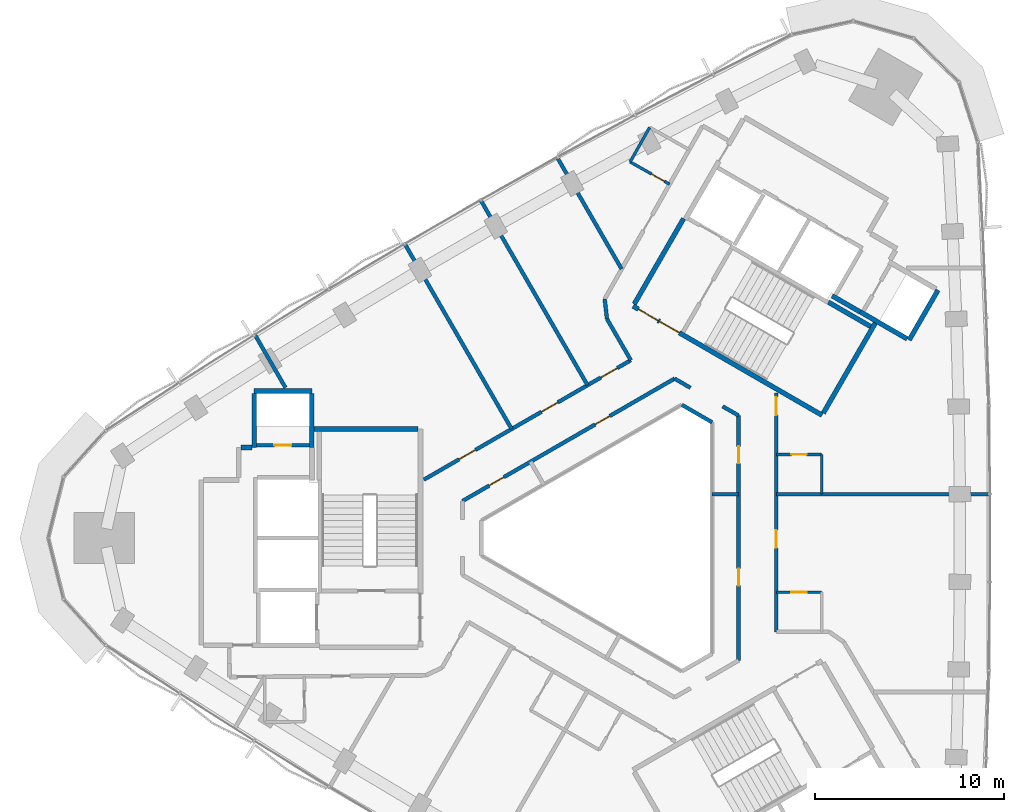
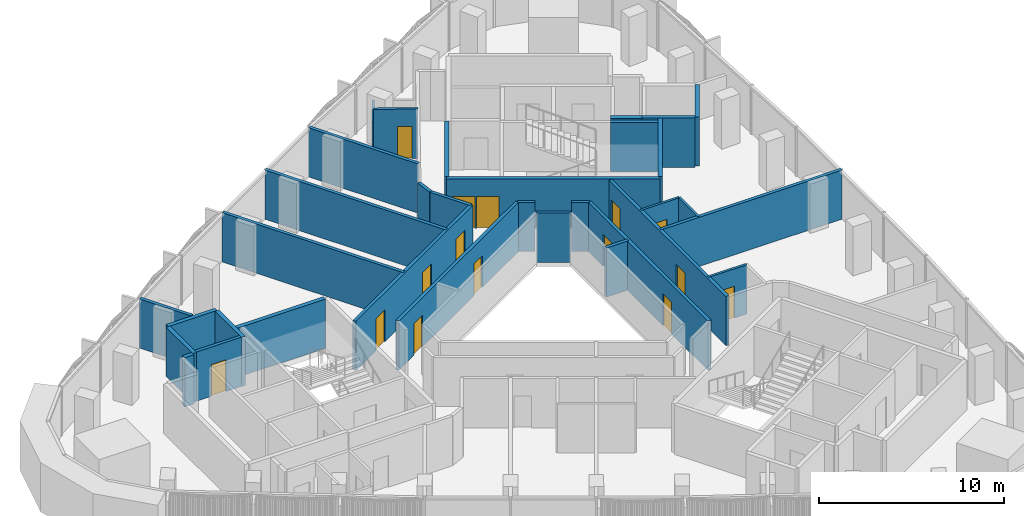
# One storey, part 9 of 13: 33 walls, 15 doors, 15 openings.
"""IFC4 building model written with IfcOpenShell, lengths in metres."""

from ifc_helpers import new_model, si_unit, direction, frame, frame_2d, origin, place, context, subcontext, project, spatial, rectangle, extrude, material, layer, layer_set, type_object, element, fill, save


model = new_model("IFC4")

# Units and contexts
model_context = context("Model", 3, precision=1e-05, world=origin(), true_north=direction((0.0, 1.0)))
body_context = subcontext(model_context, "Body", "Model", "MODEL_VIEW")
ifc_project = project(units=[si_unit("LENGTHUNIT", "METRE"), si_unit("AREAUNIT", "SQUARE_METRE"), si_unit("VOLUMEUNIT", "CUBIC_METRE"), si_unit("PLANEANGLEUNIT", "RADIAN"), si_unit("MASSUNIT", "GRAM", prefix="KILO")], contexts=[model_context])

# Site, building, storey
site_placement = place(None, origin())
site = spatial("IfcSite", under=ifc_project, at=site_placement, CompositionType="ELEMENT")
building_placement = place(site_placement, origin())
building = spatial("IfcBuilding", under=site, at=building_placement, Name="Tamra Quay Hotel Tower", CompositionType="ELEMENT")
storey_placement = place(building_placement, frame((0.0, 0.0, 182.800048828125)))
storey = spatial("IfcBuildingStorey", under=building, at=storey_placement, Name="L45", CompositionType="ELEMENT", Elevation=182.800048828125)

# Wall, opening, door
ifc_material_1 = material(Name="Concrete M70", Category="concrete")
ifc_layer_1 = layer(ifc_material_1, 0.199951171875)
ifc_layer_set_1 = layer_set([ifc_layer_1], Name="Concrete M70 core wall 200")
wall_type_1 = type_object("IfcWallType", Name="Concrete M70 core wall 200", PredefinedType="SHEAR", material=ifc_layer_set_1)
wall_1_placement = place(storey_placement, frame((-19.51123046875, 4.91015625, 0.0), z_axis=(0.0, 0.0, 1.0), x_axis=(1.0, 0.0, 0.0)))
wall_1 = element("IfcWall", 1, at=wall_1_placement, inside=storey, type_object=wall_type_1, Name="CW2", PredefinedType="SHEAR", context=body_context, shape_type="SweptSolid", body=[
    extrude(rectangle(XDim=2.7978515625, YDim=0.199951171875, at=frame_2d((1.39892578125, 0.0))), origin(), (0.0, 0.0, 1.0), 3.25),
])
opening_1_placement = place(wall_1_placement, frame((0.948974609375, 0.0, 0.0)))
opening_1 = element("IfcOpeningElement", 2, at=opening_1_placement, cuts=wall_1, Name="Opening D1", PredefinedType="OPENING", context=body_context, shape_type="SweptSolid", body=[
    extrude(rectangle(XDim=0.89990234375, YDim=2.10009765625, at=frame_2d((0.449951171875, 1.050048828125))), frame((0.0, 0.10986328125, 0.0), z_axis=(0.0, -1.0, 0.0), x_axis=(1.0, 0.0, 0.0)), (0.0, 0.0, 1.0), 0.219970703125),
])
ifc_material_2 = material(Name="Core door D1 900x2100 LH")
door_type_1 = type_object("IfcDoorType", Name="Core door D1 900x2100 LH", OperationType="NOTDEFINED", PredefinedType="DOOR", material=ifc_material_2)
door_1_placement = place(opening_1_placement, origin())
door_1 = element("IfcDoor", 3, at=door_1_placement, inside=storey, type_object=door_type_1, Name="D1", OperationType="SINGLE_SWING_LEFT", OverallHeight=2.10009765625, OverallWidth=0.89990234375, PredefinedType="DOOR", context=body_context, shape_type="SweptSolid", body=[
    extrude(rectangle(XDim=0.89990234375, YDim=2.10009765625, at=frame_2d((0.449951171875, 1.050048828125))), frame((0.0, 0.02490234375, 0.0), z_axis=(0.0, -1.0, 0.0), x_axis=(1.0, 0.0, 0.0)), (0.0, 0.0, 1.0), 0.050048828125),
])
fill(opening_1, door_1)

# Walls
ifc_layer_2 = layer(ifc_material_1, 0.25)
ifc_layer_set_2 = layer_set([ifc_layer_2], Name="Concrete M70 core wall 250")
wall_type_2 = type_object("IfcWallType", Name="Concrete M70 core wall 250", PredefinedType="SHEAR", material=ifc_layer_set_2)
wall_2_placement = place(storey_placement, frame((-16.47216796875, 5.77490234375, 0.0), z_axis=(0.0, 0.0, 1.0), x_axis=(1.0, 0.0, 0.0)))
element("IfcWall", 4, at=wall_2_placement, inside=storey, type_object=wall_type_2, Name="CW1", PredefinedType="SHEAR", context=body_context, shape_type="SweptSolid", body=[
    extrude(rectangle(XDim=5.509521484375, YDim=0.25, at=frame_2d((2.7548828125, 0.0))), origin(), (0.0, 0.0, 1.0), 3.25),
])
wall_3_placement = place(storey_placement, frame((-19.63720703125, 7.77490234375, 0.0), z_axis=(0.0, 0.0, 1.0), x_axis=(1.0, 0.0, 0.0)))
element("IfcWall", 5, at=wall_3_placement, inside=storey, type_object=wall_type_2, Name="CW1", PredefinedType="SHEAR", context=body_context, shape_type="SweptSolid", body=[
    extrude(rectangle(XDim=3.0498046875, YDim=0.25, at=frame_2d((1.52490234375, 0.0))), origin(), (0.0, 0.0, 1.0), 3.25),
])
for number, where, z_axis, x_axis, name in (
    (6, (-16.58740234375, 7.649658203125, 0.0), (0.0, 0.0, 1.0), (0.0, -1.0, 0.0), "CW1"),
    (7, (-19.63720703125, 4.784912109375, 0.0), (0.0, 0.0, 1.0), (0.0, 1.0, 0.0), "CW1"),
):
    element("IfcWall", number, at=place(storey_placement, frame(where, z_axis=z_axis, x_axis=x_axis)), inside=storey, type_object=wall_type_2, Name=name, PredefinedType="SHEAR", context=body_context, shape_type="SweptSolid", body=[
        extrude(rectangle(XDim=2.86474609375, YDim=0.25, at=frame_2d((1.432373046875, 0.0))), origin(), (0.0, 0.0, 1.0), 3.25),
    ])
wall_4_placement = place(storey_placement, frame((-20.32177734375, 4.784912109375, 0.0), z_axis=(0.0, 0.0, 1.0), x_axis=(1.0, 0.0, 0.0)))
element("IfcWall", 8, at=wall_4_placement, inside=storey, type_object=wall_type_2, Name="CW1", PredefinedType="SHEAR", context=body_context, shape_type="SweptSolid", body=[
    extrude(rectangle(XDim=0.55908203125, YDim=0.25, at=frame_2d((0.279541015625, 0.0))), origin(), (0.0, 0.0, 1.0), 3.25),
])

# Wall, openings, doors
wall_5_placement = place(storey_placement, frame((10.419921875, 6.497802734375, 0.0), z_axis=(0.0, 0.0, 1.0), x_axis=(-0.866021906294, 0.500006057782, 0.0)))
wall_5 = element("IfcWall", 9, at=wall_5_placement, inside=storey, type_object=wall_type_2, Name="CW1", PredefinedType="SHEAR", context=body_context, shape_type="SweptSolid", body=[
    extrude(rectangle(XDim=11.550048828125, YDim=0.25, at=frame_2d((5.77490234375, 0.0))), origin(), (0.0, 0.0, 1.0), 3.25),
])
opening_2_placement = place(wall_5_placement, frame((10.02490234375, 0.0, 0.0)))
opening_2 = element("IfcOpeningElement", 10, at=opening_2_placement, cuts=wall_5, Name="Opening FD1", PredefinedType="OPENING", context=body_context, shape_type="SweptSolid", body=[
    extrude(rectangle(XDim=1.199951171875, YDim=2.10009765625, at=frame_2d((0.60009765625, 1.050048828125))), frame((0.0, 0.135009765625, 0.0), z_axis=(0.0, -1.0, 0.0), x_axis=(1.0, 0.0, 0.0)), (0.0, 0.0, 1.0), 0.27001953125),
])
opening_3_placement = place(wall_5_placement, frame((8.724853515625, 0.0, 0.0)))
opening_3 = element("IfcOpeningElement", 11, at=opening_3_placement, cuts=wall_5, Name="Opening FD1", PredefinedType="OPENING", context=body_context, shape_type="SweptSolid", body=[
    extrude(rectangle(XDim=1.199951171875, YDim=2.10009765625, at=frame_2d((0.60009765625, 1.050048828125))), frame((0.0, 0.135009765625, 0.0), z_axis=(0.0, -1.0, 0.0), x_axis=(1.0, 0.0, 0.0)), (0.0, 0.0, 1.0), 0.27001953125),
])
ifc_material_3 = material(Name="Core door FD1 1200x2100 LH")
door_type_2 = type_object("IfcDoorType", Name="Core door FD1 1200x2100 LH", OperationType="NOTDEFINED", PredefinedType="DOOR", material=ifc_material_3)
door_2_placement = place(opening_2_placement, origin())
door_2 = element("IfcDoor", 12, at=door_2_placement, inside=storey, type_object=door_type_2, Name="FD1", OperationType="SINGLE_SWING_LEFT", OverallHeight=2.10009765625, OverallWidth=1.199951171875, PredefinedType="DOOR", context=body_context, shape_type="SweptSolid", body=[
    extrude(rectangle(XDim=1.199951171875, YDim=2.10009765625, at=frame_2d((0.60009765625, 1.050048828125))), frame((0.0, 0.02490234375, 0.0), z_axis=(0.0, -1.0, 0.0), x_axis=(1.0, 0.0, 0.0)), (0.0, 0.0, 1.0), 0.050048828125),
])
fill(opening_2, door_2)
ifc_material_4 = material(Name="Core door FD1 1200x2100 RH")
door_type_3 = type_object("IfcDoorType", Name="Core door FD1 1200x2100 RH", OperationType="NOTDEFINED", PredefinedType="DOOR", material=ifc_material_4)
door_3_placement = place(opening_3_placement, origin())
door_3 = element("IfcDoor", 13, at=door_3_placement, inside=storey, type_object=door_type_3, Name="FD1", OperationType="SINGLE_SWING_RIGHT", OverallHeight=2.10009765625, OverallWidth=1.199951171875, PredefinedType="DOOR", context=body_context, shape_type="SweptSolid", body=[
    extrude(rectangle(XDim=1.199951171875, YDim=2.10009765625, at=frame_2d((0.60009765625, 1.050048828125))), frame((0.0, 0.02490234375, 0.0), z_axis=(0.0, -1.0, 0.0), x_axis=(1.0, 0.0, 0.0)), (0.0, 0.0, 1.0), 0.050048828125),
])
fill(opening_3, door_3)

# Walls
wall_6_placement = place(storey_placement, frame((0.47998046875, 12.38134765625, 0.0), z_axis=(0.0, 0.0, 1.0), x_axis=(0.49999885962, 0.866026062182, 0.0)))
element("IfcWall", 14, at=wall_6_placement, inside=storey, type_object=wall_type_2, Name="CW1", PredefinedType="SHEAR", context=body_context, shape_type="SweptSolid", body=[
    extrude(rectangle(XDim=5.224609375, YDim=0.25, at=frame_2d((2.6123046875, 0.0))), origin(), (0.0, 0.0, 1.0), 3.25),
])
wall_7_placement = place(storey_placement, frame((13.237548828125, 11.3779296875, 0.0), z_axis=(0.0, 0.0, 1.0), x_axis=(-0.500008851346, -0.866020293397, 0.0)))
element("IfcWall", 15, at=wall_7_placement, inside=storey, type_object=wall_type_2, Name="CW1", PredefinedType="SHEAR", context=body_context, shape_type="SweptSolid", body=[
    extrude(rectangle(XDim=5.509765625, YDim=0.25, at=frame_2d((2.7548828125, 0.0))), origin(), (0.0, 0.0, 1.0), 3.25),
])
wall_8_placement = place(storey_placement, frame((16.552001953125, 13.118896484375, 0.0), z_axis=(0.0, 0.0, 1.0), x_axis=(-0.499978833458, -0.866037623948, 0.0)))
element("IfcWall", 16, at=wall_8_placement, inside=storey, type_object=wall_type_2, Name="CW1", PredefinedType="SHEAR", context=body_context, shape_type="SweptSolid", body=[
    extrude(rectangle(XDim=3.050048828125, YDim=0.25, at=frame_2d((1.52490234375, 0.0))), origin(), (0.0, 0.0, 1.0), 3.25),
])
wall_9_placement = place(storey_placement, frame((14.91845703125, 10.540283203125, 0.0), z_axis=(0.0, 0.0, 1.0), x_axis=(-0.866063538972, 0.499933942099, 0.0)))
element("IfcWall", 17, at=wall_9_placement, inside=storey, type_object=wall_type_2, Name="CW1", PredefinedType="SHEAR", context=body_context, shape_type="SweptSolid", body=[
    extrude(rectangle(XDim=2.86474609375, YDim=0.25, at=frame_2d((1.432373046875, 0.0))), origin(), (0.0, 0.0, 1.0), 3.25),
])
wall_10_placement = place(storey_placement, frame((10.756591796875, 12.481201171875, 0.0), z_axis=(0.0, 0.0, 1.0), x_axis=(0.866022940537, -0.500004266446, 0.0)))
element("IfcWall", 18, at=wall_10_placement, inside=storey, type_object=wall_type_2, Name="CW1", PredefinedType="SHEAR", context=body_context, shape_type="SweptSolid", body=[
    extrude(rectangle(XDim=2.57470703125, YDim=0.25, at=frame_2d((1.287353515625, 0.0))), origin(), (0.0, 0.0, 1.0), 3.25),
])
wall_11_placement = place(storey_placement, frame((12.4326171875, 11.9638671875, 0.0), z_axis=(0.0, 0.0, 1.0), x_axis=(-0.866038183914, 0.499977863513, 0.0)))
element("IfcWall", 19, at=wall_11_placement, inside=storey, type_object=wall_type_2, Name="CW1", PredefinedType="SHEAR", context=body_context, shape_type="SweptSolid", body=[
    extrude(rectangle(XDim=1.7099609375, YDim=0.25, at=frame_2d((0.85498046875, 0.0))), origin(), (0.0, 0.0, 1.0), 3.25),
])

# Wall, openings, doors
ifc_material_5 = material(Name="Partition corridor wall")
ifc_layer_3 = layer(ifc_material_5, 0.199951171875)
ifc_layer_set_3 = layer_set([ifc_layer_3], Name="Partition corridor wall")
wall_type_3 = type_object("IfcWallType", Name="Partition corridor wall", PredefinedType="PARTITIONING", material=ifc_layer_set_3)
wall_12_placement = place(storey_placement, frame((-10.65234375, 3.08740234375, 0.0), z_axis=(0.0, 0.0, 1.0), x_axis=(0.866016136997, 0.500016050204, 0.0)))
wall_12 = element("IfcWall", 20, at=wall_12_placement, inside=storey, type_object=wall_type_3, Name="W-C", PredefinedType="PARTITIONING", context=body_context, shape_type="SweptSolid", body=[
    extrude(rectangle(XDim=12.64453125, YDim=0.199951171875, at=frame_2d((6.322265625, 0.0))), origin(), (0.0, 0.0, 1.0), 3.25),
])
opening_4_placement = place(wall_12_placement, frame((10.816650390625, 0.0, 0.0)))
opening_4 = element("IfcOpeningElement", 21, at=opening_4_placement, cuts=wall_12, Name="Opening L45-D003", PredefinedType="OPENING", context=body_context, shape_type="SweptSolid", body=[
    extrude(rectangle(XDim=1.0, YDim=2.10009765625, at=frame_2d((0.5, 1.050048828125))), frame((0.0, 0.10986328125, 0.0), z_axis=(0.0, -1.0, 0.0), x_axis=(1.0, 0.0, 0.0)), (0.0, 0.0, 1.0), 0.219970703125),
])
opening_5_placement = place(wall_12_placement, frame((7.181640625, 0.0, 0.0)))
opening_5 = element("IfcOpeningElement", 22, at=opening_5_placement, cuts=wall_12, Name="Opening L45-D004", PredefinedType="OPENING", context=body_context, shape_type="SweptSolid", body=[
    extrude(rectangle(XDim=1.0, YDim=2.10009765625, at=frame_2d((0.5, 1.050048828125))), frame((0.0, 0.10986328125, 0.0), z_axis=(0.0, -1.0, 0.0), x_axis=(1.0, 0.0, 0.0)), (0.0, 0.0, 1.0), 0.219970703125),
])
opening_6_placement = place(wall_12_placement, frame((2.15283203125, 0.0, 0.0)))
opening_6 = element("IfcOpeningElement", 23, at=opening_6_placement, cuts=wall_12, Name="Opening L45-D005", PredefinedType="OPENING", context=body_context, shape_type="SweptSolid", body=[
    extrude(rectangle(XDim=1.0, YDim=2.10009765625, at=frame_2d((0.5, 1.050048828125))), frame((0.0, 0.10986328125, 0.0), z_axis=(0.0, -1.0, 0.0), x_axis=(1.0, 0.0, 0.0)), (0.0, 0.0, 1.0), 0.219970703125),
])
ifc_material_6 = material(Name="Door guest room 1000x2100")
door_type_4 = type_object("IfcDoorType", Name="Door guest room 1000x2100", OperationType="NOTDEFINED", PredefinedType="DOOR", material=ifc_material_6)
door_4_placement = place(opening_4_placement, origin())
door_4 = element("IfcDoor", 24, at=door_4_placement, inside=storey, type_object=door_type_4, Name="L45-D003", OperationType="SINGLE_SWING_LEFT", OverallHeight=2.10009765625, OverallWidth=1.0, PredefinedType="DOOR", context=body_context, shape_type="SweptSolid", body=[
    extrude(rectangle(XDim=1.0, YDim=2.10009765625, at=frame_2d((0.5, 1.050048828125))), frame((0.0, 0.02490234375, 0.0), z_axis=(0.0, -1.0, 0.0), x_axis=(1.0, 0.0, 0.0)), (0.0, 0.0, 1.0), 0.050048828125),
])
fill(opening_4, door_4)
door_5_placement = place(opening_5_placement, origin())
door_5 = element("IfcDoor", 25, at=door_5_placement, inside=storey, type_object=door_type_4, Name="L45-D004", OperationType="SINGLE_SWING_LEFT", OverallHeight=2.10009765625, OverallWidth=1.0, PredefinedType="DOOR", context=body_context, shape_type="SweptSolid", body=[
    extrude(rectangle(XDim=1.0, YDim=2.10009765625, at=frame_2d((0.5, 1.050048828125))), frame((0.0, 0.02490234375, 0.0), z_axis=(0.0, -1.0, 0.0), x_axis=(1.0, 0.0, 0.0)), (0.0, 0.0, 1.0), 0.050048828125),
])
fill(opening_5, door_5)
door_6_placement = place(opening_6_placement, origin())
door_6 = element("IfcDoor", 26, at=door_6_placement, inside=storey, type_object=door_type_4, Name="L45-D005", OperationType="SINGLE_SWING_LEFT", OverallHeight=2.10009765625, OverallWidth=1.0, PredefinedType="DOOR", context=body_context, shape_type="SweptSolid", body=[
    extrude(rectangle(XDim=1.0, YDim=2.10009765625, at=frame_2d((0.5, 1.050048828125))), frame((0.0, 0.02490234375, 0.0), z_axis=(0.0, -1.0, 0.0), x_axis=(1.0, 0.0, 0.0)), (0.0, 0.0, 1.0), 0.050048828125),
])
fill(opening_6, door_6)

wall_13_placement = place(storey_placement, frame((-8.612060546875, 1.9560546875, 0.0), z_axis=(0.0, 0.0, 1.0), x_axis=(0.866034386606, 0.499984440973, 0.0)))
wall_13 = element("IfcWall", 27, at=wall_13_placement, inside=storey, type_object=wall_type_3, Name="W-C", PredefinedType="PARTITIONING", context=body_context, shape_type="SweptSolid", body=[
    extrude(rectangle(XDim=12.96044921875, YDim=0.199951171875, at=frame_2d((6.480224609375, 0.0))), origin(), (0.0, 0.0, 1.0), 3.25),
])
opening_7_placement = place(wall_13_placement, frame((8.10498046875, 0.0, 0.0)))
opening_7 = element("IfcOpeningElement", 28, at=opening_7_placement, cuts=wall_13, Name="Opening L45-D021", PredefinedType="OPENING", context=body_context, shape_type="SweptSolid", body=[
    extrude(rectangle(XDim=0.89990234375, YDim=2.10009765625, at=frame_2d((0.449951171875, 1.050048828125))), frame((0.0, 0.10986328125, 0.0), z_axis=(0.0, -1.0, 0.0), x_axis=(1.0, 0.0, 0.0)), (0.0, 0.0, 1.0), 0.219970703125),
])
opening_8_placement = place(wall_13_placement, frame((1.63671875, 0.0, 0.0)))
opening_8 = element("IfcOpeningElement", 29, at=opening_8_placement, cuts=wall_13, Name="Opening L45-D022", PredefinedType="OPENING", context=body_context, shape_type="SweptSolid", body=[
    extrude(rectangle(XDim=0.89990234375, YDim=2.10009765625, at=frame_2d((0.449951171875, 1.050048828125))), frame((0.0, 0.10986328125, 0.0), z_axis=(0.0, -1.0, 0.0), x_axis=(1.0, 0.0, 0.0)), (0.0, 0.0, 1.0), 0.219970703125),
])
ifc_material_7 = material(Name="Door service room 900x2100")
door_type_5 = type_object("IfcDoorType", Name="Door service room 900x2100", OperationType="NOTDEFINED", PredefinedType="DOOR", material=ifc_material_7)
door_7_placement = place(opening_7_placement, frame((0.89990234375, 0.0, 0.0), z_axis=(0.0, 0.0, 1.0), x_axis=(-1.0, 0.0, 0.0)))
door_7 = element("IfcDoor", 30, at=door_7_placement, inside=storey, type_object=door_type_5, Name="L45-D021", OperationType="SINGLE_SWING_LEFT", OverallHeight=2.10009765625, OverallWidth=0.89990234375, PredefinedType="DOOR", context=body_context, shape_type="SweptSolid", body=[
    extrude(rectangle(XDim=0.89990234375, YDim=2.10009765625, at=frame_2d((0.449951171875, 1.050048828125))), frame((0.0, 0.02490234375, 0.0), z_axis=(0.0, -1.0, 0.0), x_axis=(1.0, 0.0, 0.0)), (0.0, 0.0, 1.0), 0.050048828125),
])
fill(opening_7, door_7)
door_8_placement = place(opening_8_placement, frame((0.89990234375, 0.0, 0.0), z_axis=(0.0, 0.0, 1.0), x_axis=(-1.0, 0.0, 0.0)))
door_8 = element("IfcDoor", 31, at=door_8_placement, inside=storey, type_object=door_type_5, Name="L45-D022", OperationType="SINGLE_SWING_LEFT", OverallHeight=2.10009765625, OverallWidth=0.89990234375, PredefinedType="DOOR", context=body_context, shape_type="SweptSolid", body=[
    extrude(rectangle(XDim=0.89990234375, YDim=2.10009765625, at=frame_2d((0.449951171875, 1.050048828125))), frame((0.0, 0.02490234375, 0.0), z_axis=(0.0, -1.0, 0.0), x_axis=(1.0, 0.0, 0.0)), (0.0, 0.0, 1.0), 0.050048828125),
])
fill(opening_8, door_8)

# Walls
wall_14_placement = place(storey_placement, frame((-1.0849609375, 12.64990234375, 0.0), z_axis=(0.0, 0.0, 1.0), x_axis=(0.113812454263, -0.993502252264, 0.0)))
element("IfcWall", 32, at=wall_14_placement, inside=storey, type_object=wall_type_3, Name="W-C", PredefinedType="PARTITIONING", context=body_context, shape_type="SweptSolid", body=[
    extrude(rectangle(XDim=1.061767578125, YDim=0.199951171875, at=frame_2d((0.53076171875, 0.0))), origin(), (0.0, 0.0, 1.0), 3.25),
])
wall_15_placement = place(storey_placement, frame((-0.964111328125, 11.594970703125, 0.0), z_axis=(0.0, 0.0, 1.0), x_axis=(0.500197000638, -0.865911635534, 0.0)))
element("IfcWall", 33, at=wall_15_placement, inside=storey, type_object=wall_type_3, Name="W-C", PredefinedType="PARTITIONING", context=body_context, shape_type="SweptSolid", body=[
    extrude(rectangle(XDim=2.5234375, YDim=0.199951171875, at=frame_2d((1.26171875, 0.0))), origin(), (0.0, 0.0, 1.0), 3.25),
])
wall_16_placement = place(storey_placement, frame((2.612060546875, 8.43603515625, 0.0), z_axis=(0.0, 0.0, 1.0), x_axis=(0.866055964107, -0.499947064232, 0.0)))
element("IfcWall", 34, at=wall_16_placement, inside=storey, type_object=wall_type_3, Name="W-C", PredefinedType="PARTITIONING", context=body_context, shape_type="SweptSolid", body=[
    extrude(rectangle(XDim=0.97216796875, YDim=0.199951171875, at=frame_2d((0.486083984375, 0.0))), origin(), (0.0, 0.0, 1.0), 3.25),
])
wall_17_placement = place(storey_placement, frame((5.156005859375, 6.968017578125, 0.0), z_axis=(0.0, 0.0, 1.0), x_axis=(0.866123013327, -0.49983089719, 0.0)))
element("IfcWall", 35, at=wall_17_placement, inside=storey, type_object=wall_type_3, Name="W-C", PredefinedType="PARTITIONING", context=body_context, shape_type="SweptSolid", body=[
    extrude(rectangle(XDim=0.974365234375, YDim=0.199951171875, at=frame_2d((0.4873046875, 0.0))), origin(), (0.0, 0.0, 1.0), 3.25),
])

# Wall, openings, doors
wall_18_placement = place(storey_placement, frame((6.0, -6.48095703125, 0.0), z_axis=(0.0, 0.0, 1.0), x_axis=(0.0, 1.0, 0.0)))
wall_18 = element("IfcWall", 36, at=wall_18_placement, inside=storey, type_object=wall_type_3, Name="W-C", PredefinedType="PARTITIONING", context=body_context, shape_type="SweptSolid", body=[
    extrude(rectangle(XDim=12.9619140625, YDim=0.199951171875, at=frame_2d((6.48095703125, 0.0))), origin(), (0.0, 0.0, 1.0), 3.25),
])
opening_9_placement = place(wall_18_placement, frame((3.9560546875, 0.0, 0.0)))
opening_9 = element("IfcOpeningElement", 37, at=opening_9_placement, cuts=wall_18, Name="Opening L45-D019", PredefinedType="OPENING", context=body_context, shape_type="SweptSolid", body=[
    extrude(rectangle(XDim=0.89990234375, YDim=2.10009765625, at=frame_2d((0.449951171875, 1.050048828125))), frame((0.0, 0.10986328125, 0.0), z_axis=(0.0, -1.0, 0.0), x_axis=(1.0, 0.0, 0.0)), (0.0, 0.0, 1.0), 0.219970703125),
])
opening_10_placement = place(wall_18_placement, frame((10.425048828125, 0.0, 0.0)))
opening_10 = element("IfcOpeningElement", 38, at=opening_10_placement, cuts=wall_18, Name="Opening L45-D020", PredefinedType="OPENING", context=body_context, shape_type="SweptSolid", body=[
    extrude(rectangle(XDim=0.89990234375, YDim=2.10009765625, at=frame_2d((0.449951171875, 1.050048828125))), frame((0.0, 0.10986328125, 0.0), z_axis=(0.0, -1.0, 0.0), x_axis=(1.0, 0.0, 0.0)), (0.0, 0.0, 1.0), 0.219970703125),
])
door_9_placement = place(opening_9_placement, origin())
door_9 = element("IfcDoor", 39, at=door_9_placement, inside=storey, type_object=door_type_5, Name="L45-D019", OperationType="SINGLE_SWING_LEFT", OverallHeight=2.10009765625, OverallWidth=0.89990234375, PredefinedType="DOOR", context=body_context, shape_type="SweptSolid", body=[
    extrude(rectangle(XDim=0.89990234375, YDim=2.10009765625, at=frame_2d((0.449951171875, 1.050048828125))), frame((0.0, 0.02490234375, 0.0), z_axis=(0.0, -1.0, 0.0), x_axis=(1.0, 0.0, 0.0)), (0.0, 0.0, 1.0), 0.050048828125),
])
fill(opening_9, door_9)
door_10_placement = place(opening_10_placement, origin())
door_10 = element("IfcDoor", 40, at=door_10_placement, inside=storey, type_object=door_type_5, Name="L45-D020", OperationType="SINGLE_SWING_LEFT", OverallHeight=2.10009765625, OverallWidth=0.89990234375, PredefinedType="DOOR", context=body_context, shape_type="SweptSolid", body=[
    extrude(rectangle(XDim=0.89990234375, YDim=2.10009765625, at=frame_2d((0.449951171875, 1.050048828125))), frame((0.0, 0.02490234375, 0.0), z_axis=(0.0, -1.0, 0.0), x_axis=(1.0, 0.0, 0.0)), (0.0, 0.0, 1.0), 0.050048828125),
])
fill(opening_10, door_10)

wall_19_placement = place(storey_placement, frame((8.0, -4.966064453125, 0.0), z_axis=(0.0, 0.0, 1.0), x_axis=(0.0, 1.0, 0.0)))
wall_19 = element("IfcWall", 41, at=wall_19_placement, inside=storey, type_object=wall_type_3, Name="W-C", PredefinedType="PARTITIONING", context=body_context, shape_type="SweptSolid", body=[
    extrude(rectangle(XDim=12.6474609375, YDim=0.199951171875, at=frame_2d((6.32373046875, 0.0))), origin(), (0.0, 0.0, 1.0), 3.25),
])
opening_11_placement = place(wall_19_placement, frame((4.43798828125, 0.0, 0.0)))
opening_11 = element("IfcOpeningElement", 42, at=opening_11_placement, cuts=wall_19, Name="Opening L45-D015", PredefinedType="OPENING", context=body_context, shape_type="SweptSolid", body=[
    extrude(rectangle(XDim=0.949951171875, YDim=2.10009765625, at=frame_2d((0.47509765625, 1.050048828125))), frame((0.0, 0.10986328125, 0.0), z_axis=(0.0, -1.0, 0.0), x_axis=(1.0, 0.0, 0.0)), (0.0, 0.0, 1.0), 0.219970703125),
])
opening_12_placement = place(wall_19_placement, frame((11.46630859375, 0.0, 0.0)))
opening_12 = element("IfcOpeningElement", 43, at=opening_12_placement, cuts=wall_19, Name="Opening L45-D017", PredefinedType="OPENING", context=body_context, shape_type="SweptSolid", body=[
    extrude(rectangle(XDim=0.949951171875, YDim=2.10009765625, at=frame_2d((0.47509765625, 1.050048828125))), frame((0.0, 0.10986328125, 0.0), z_axis=(0.0, -1.0, 0.0), x_axis=(1.0, 0.0, 0.0)), (0.0, 0.0, 1.0), 0.219970703125),
])
ifc_material_8 = material(Name="Door guest room 950x2100")
door_type_6 = type_object("IfcDoorType", Name="Door guest room 950x2100", OperationType="NOTDEFINED", PredefinedType="DOOR", material=ifc_material_8)
door_11_placement = place(opening_11_placement, frame((0.949951171875, 0.0, 0.0), z_axis=(0.0, 0.0, 1.0), x_axis=(-1.0, 0.0, 0.0)))
door_11 = element("IfcDoor", 44, at=door_11_placement, inside=storey, type_object=door_type_6, Name="L45-D015", OperationType="SINGLE_SWING_LEFT", OverallHeight=2.10009765625, OverallWidth=0.949951171875, PredefinedType="DOOR", context=body_context, shape_type="SweptSolid", body=[
    extrude(rectangle(XDim=0.949951171875, YDim=2.10009765625, at=frame_2d((0.47509765625, 1.050048828125))), frame((0.0, 0.02490234375, 0.0), z_axis=(0.0, -1.0, 0.0), x_axis=(1.0, 0.0, 0.0)), (0.0, 0.0, 1.0), 0.050048828125),
])
fill(opening_11, door_11)
door_12_placement = place(opening_12_placement, frame((0.949951171875, 0.0, 0.0), z_axis=(0.0, 0.0, 1.0), x_axis=(-1.0, 0.0, 0.0)))
door_12 = element("IfcDoor", 45, at=door_12_placement, inside=storey, type_object=door_type_6, Name="L45-D017", OperationType="SINGLE_SWING_LEFT", OverallHeight=2.10009765625, OverallWidth=0.949951171875, PredefinedType="DOOR", context=body_context, shape_type="SweptSolid", body=[
    extrude(rectangle(XDim=0.949951171875, YDim=2.10009765625, at=frame_2d((0.47509765625, 1.050048828125))), frame((0.0, 0.02490234375, 0.0), z_axis=(0.0, -1.0, 0.0), x_axis=(1.0, 0.0, 0.0)), (0.0, 0.0, 1.0), 0.050048828125),
])
fill(opening_12, door_12)

# Wall
ifc_material_9 = material(Name="Partition en-suite wall")
ifc_layer_4 = layer(ifc_material_9, 0.14990234375)
ifc_layer_set_4 = layer_set([ifc_layer_4], Name="Partition en-suite wall")
wall_type_4 = type_object("IfcWallType", Name="Partition en-suite wall", PredefinedType="PARTITIONING", material=ifc_layer_set_4)
wall_20_placement = place(storey_placement, frame((0.262939453125, 19.906005859375, 0.0), z_axis=(0.0, 0.0, 1.0), x_axis=(0.492479898936, 0.870323818555, 0.0)))
element("IfcWall", 46, at=wall_20_placement, inside=storey, type_object=wall_type_4, Name="W-E", PredefinedType="PARTITIONING", context=body_context, shape_type="SweptSolid", body=[
    extrude(rectangle(XDim=2.093505859375, YDim=0.14990234375, at=frame_2d((1.046875, 0.0))), origin(), (0.0, 0.0, 1.0), 2.349853515625),
])

# Wall, opening, door
wall_21_placement = place(storey_placement, frame((0.264892578125, 19.902099609375, 0.0), z_axis=(0.0, 0.0, 1.0), x_axis=(0.870355792391, -0.492423389627, 0.0)))
wall_21 = element("IfcWall", 47, at=wall_21_placement, inside=storey, type_object=wall_type_4, Name="W-E", PredefinedType="PARTITIONING", context=body_context, shape_type="SweptSolid", body=[
    extrude(rectangle(XDim=2.394775390625, YDim=0.14990234375, at=frame_2d((1.197265625, 0.0))), origin(), (0.0, 0.0, 1.0), 3.25),
])
opening_13_placement = place(wall_21_placement, frame((1.2841796875, 0.0, 0.0)))
opening_13 = element("IfcOpeningElement", 48, at=opening_13_placement, cuts=wall_21, Name="Opening L45-D002", PredefinedType="OPENING", context=body_context, shape_type="SweptSolid", body=[
    extrude(rectangle(XDim=0.800048828125, YDim=2.10009765625, at=frame_2d((0.39990234375, 1.050048828125))), frame((0.0, 0.0849609375, 0.0), z_axis=(0.0, -1.0, 0.0), x_axis=(1.0, 0.0, 0.0)), (0.0, 0.0, 1.0), 0.169921875),
])
ifc_material_10 = material(Name="Door en-suite 800x2100")
door_type_7 = type_object("IfcDoorType", Name="Door en-suite 800x2100", OperationType="NOTDEFINED", PredefinedType="DOOR", material=ifc_material_10)
door_13_placement = place(opening_13_placement, origin())
door_13 = element("IfcDoor", 49, at=door_13_placement, inside=storey, type_object=door_type_7, Name="L45-D002", OperationType="SINGLE_SWING_LEFT", OverallHeight=2.10009765625, OverallWidth=0.800048828125, PredefinedType="DOOR", context=body_context, shape_type="SweptSolid", body=[
    extrude(rectangle(XDim=0.800048828125, YDim=2.10009765625, at=frame_2d((0.39990234375, 1.050048828125))), frame((0.0, 0.02490234375, 0.0), z_axis=(0.0, -1.0, 0.0), x_axis=(1.0, 0.0, 0.0)), (0.0, 0.0, 1.0), 0.050048828125),
])
fill(opening_13, door_13)

wall_22_placement = place(storey_placement, frame((8.0, -2.865966796875, 0.0), z_axis=(0.0, 0.0, 1.0), x_axis=(1.0, 0.0, 0.0)))
wall_22 = element("IfcWall", 50, at=wall_22_placement, inside=storey, type_object=wall_type_4, Name="W-E", PredefinedType="PARTITIONING", context=body_context, shape_type="SweptSolid", body=[
    extrude(rectangle(XDim=2.39990234375, YDim=0.14990234375, at=frame_2d((1.199951171875, 0.0))), origin(), (0.0, 0.0, 1.0), 3.25),
])
opening_14_placement = place(wall_22_placement, frame((0.800048828125, 0.0, 0.0)))
opening_14 = element("IfcOpeningElement", 51, at=opening_14_placement, cuts=wall_22, Name="Opening L45-D016", PredefinedType="OPENING", context=body_context, shape_type="SweptSolid", body=[
    extrude(rectangle(XDim=0.800048828125, YDim=2.10009765625, at=frame_2d((0.39990234375, 1.050048828125))), frame((0.0, 0.0849609375, 0.0), z_axis=(0.0, -1.0, 0.0), x_axis=(1.0, 0.0, 0.0)), (0.0, 0.0, 1.0), 0.169921875),
])
door_14_placement = place(opening_14_placement, frame((0.800048828125, 0.0, 0.0), z_axis=(0.0, 0.0, 1.0), x_axis=(-1.0, 0.0, 0.0)))
door_14 = element("IfcDoor", 52, at=door_14_placement, inside=storey, type_object=door_type_7, Name="L45-D016", OperationType="SINGLE_SWING_LEFT", OverallHeight=2.10009765625, OverallWidth=0.800048828125, PredefinedType="DOOR", context=body_context, shape_type="SweptSolid", body=[
    extrude(rectangle(XDim=0.800048828125, YDim=2.10009765625, at=frame_2d((0.39990234375, 1.050048828125))), frame((0.0, 0.02490234375, 0.0), z_axis=(0.0, -1.0, 0.0), x_axis=(1.0, 0.0, 0.0)), (0.0, 0.0, 1.0), 0.050048828125),
])
fill(opening_14, door_14)

wall_23_placement = place(storey_placement, frame((8.0, 4.4189453125, 0.0), z_axis=(0.0, 0.0, 1.0), x_axis=(1.0, 0.0, 0.0)))
wall_23 = element("IfcWall", 53, at=wall_23_placement, inside=storey, type_object=wall_type_4, Name="W-E", PredefinedType="PARTITIONING", context=body_context, shape_type="SweptSolid", body=[
    extrude(rectangle(XDim=2.39990234375, YDim=0.14990234375, at=frame_2d((1.199951171875, 0.0))), origin(), (0.0, 0.0, 1.0), 3.25),
])
opening_15_placement = place(wall_23_placement, frame((0.800048828125, 0.0, 0.0)))
opening_15 = element("IfcOpeningElement", 54, at=opening_15_placement, cuts=wall_23, Name="Opening L45-D018", PredefinedType="OPENING", context=body_context, shape_type="SweptSolid", body=[
    extrude(rectangle(XDim=0.800048828125, YDim=2.10009765625, at=frame_2d((0.39990234375, 1.050048828125))), frame((0.0, 0.0849609375, 0.0), z_axis=(0.0, -1.0, 0.0), x_axis=(1.0, 0.0, 0.0)), (0.0, 0.0, 1.0), 0.169921875),
])
door_15_placement = place(opening_15_placement, origin())
door_15 = element("IfcDoor", 55, at=door_15_placement, inside=storey, type_object=door_type_7, Name="L45-D018", OperationType="SINGLE_SWING_LEFT", OverallHeight=2.10009765625, OverallWidth=0.800048828125, PredefinedType="DOOR", context=body_context, shape_type="SweptSolid", body=[
    extrude(rectangle(XDim=0.800048828125, YDim=2.10009765625, at=frame_2d((0.39990234375, 1.050048828125))), frame((0.0, 0.02490234375, 0.0), z_axis=(0.0, -1.0, 0.0), x_axis=(1.0, 0.0, 0.0)), (0.0, 0.0, 1.0), 0.050048828125),
])
fill(opening_15, door_15)

# Walls
wall_24_placement = place(storey_placement, frame((10.39990234375, 2.319091796875, 0.0), z_axis=(0.0, 0.0, 1.0), x_axis=(0.0, 1.0, 0.0)))
element("IfcWall", 56, at=wall_24_placement, inside=storey, type_object=wall_type_4, Name="W-E", PredefinedType="PARTITIONING", context=body_context, shape_type="SweptSolid", body=[
    extrude(rectangle(XDim=2.099853515625, YDim=0.14990234375, at=frame_2d((1.0498046875, 0.0))), origin(), (0.0, 0.0, 1.0), 3.25),
])
ifc_material_11 = material(Name="Partition party wall")
ifc_layer_5 = layer(ifc_material_11, 0.199951171875)
ifc_layer_set_5 = layer_set([ifc_layer_5], Name="Partition party wall")
wall_type_5 = type_object("IfcWallType", Name="Partition party wall", PredefinedType="PARTITIONING", material=ifc_layer_set_5)
wall_25_placement = place(storey_placement, frame((-19.595703125, 10.75732421875, 0.0), z_axis=(0.0, 0.0, 1.0), x_axis=(0.499984162302, -0.866034547491, 0.0)))
element("IfcWall", 57, at=wall_25_placement, inside=storey, type_object=wall_type_5, Name="W-P", PredefinedType="PARTITIONING", context=body_context, shape_type="SweptSolid", body=[
    extrude(rectangle(XDim=3.22998046875, YDim=0.199951171875, at=frame_2d((1.614990234375, 0.0))), origin(), (0.0, 0.0, 1.0), 3.25),
])
wall_26_placement = place(storey_placement, frame((-11.661376953125, 15.560546875, 0.0), z_axis=(0.0, 0.0, 1.0), x_axis=(0.500012795616, -0.866018016106, 0.0)))
element("IfcWall", 58, at=wall_26_placement, inside=storey, type_object=wall_type_5, Name="W-P", PredefinedType="PARTITIONING", context=body_context, shape_type="SweptSolid", body=[
    extrude(rectangle(XDim=11.306396484375, YDim=0.199951171875, at=frame_2d((5.6533203125, 0.0))), origin(), (0.0, 0.0, 1.0), 3.25),
])
wall_27_placement = place(storey_placement, frame((-7.6455078125, 17.87890625, 0.0), z_axis=(0.0, 0.0, 1.0), x_axis=(0.500047691386, -0.865997867399, 0.0)))
element("IfcWall", 59, at=wall_27_placement, inside=storey, type_object=wall_type_5, Name="W-P", PredefinedType="PARTITIONING", context=body_context, shape_type="SweptSolid", body=[
    extrude(rectangle(XDim=11.30615234375, YDim=0.199951171875, at=frame_2d((5.653076171875, 0.0))), origin(), (0.0, 0.0, 1.0), 3.25),
])
wall_28_placement = place(storey_placement, frame((-3.597412109375, 20.14208984375, 0.0), z_axis=(0.0, 0.0, 1.0), x_axis=(0.499864035625, -0.866103888623, 0.0)))
element("IfcWall", 60, at=wall_28_placement, inside=storey, type_object=wall_type_5, Name="W-P", PredefinedType="PARTITIONING", context=body_context, shape_type="SweptSolid", body=[
    extrude(rectangle(XDim=6.81689453125, YDim=0.199951171875, at=frame_2d((3.408447265625, 0.0))), origin(), (0.0, 0.0, 1.0), 3.25),
])
wall_29_placement = place(storey_placement, frame((3.000244140625, 7.04443359375, 0.0), z_axis=(0.0, 0.0, 1.0), x_axis=(0.865875248522, -0.500259986404, 0.0)))
element("IfcWall", 61, at=wall_29_placement, inside=storey, type_object=wall_type_5, Name="W-P", PredefinedType="PARTITIONING", context=body_context, shape_type="SweptSolid", body=[
    extrude(rectangle(XDim=1.84765625, YDim=0.199951171875, at=frame_2d((0.923828125, 0.0))), origin(), (0.0, 0.0, 1.0), 3.25),
])
wall_30_placement = place(storey_placement, frame((4.60009765625, 2.319091796875, 0.0), z_axis=(0.0, 0.0, 1.0), x_axis=(1.0, 0.0, 0.0)))
element("IfcWall", 62, at=wall_30_placement, inside=storey, type_object=wall_type_5, Name="W-P", PredefinedType="PARTITIONING", context=body_context, shape_type="SweptSolid", body=[
    extrude(rectangle(XDim=1.39990234375, YDim=0.199951171875, at=frame_2d((0.699951171875, 0.0))), origin(), (0.0, 0.0, 1.0), 3.25),
])
wall_31_placement = place(storey_placement, frame((8.0, 2.319091796875, 0.0), z_axis=(0.0, 0.0, 1.0), x_axis=(1.0, 0.0, 0.0)))
element("IfcWall", 63, at=wall_31_placement, inside=storey, type_object=wall_type_5, Name="W-P", PredefinedType="PARTITIONING", context=body_context, shape_type="SweptSolid", body=[
    extrude(rectangle(XDim=11.306396484375, YDim=0.199951171875, at=frame_2d((5.6533203125, 0.0))), origin(), (0.0, 0.0, 1.0), 3.25),
])

save(model, "model.ifc")
